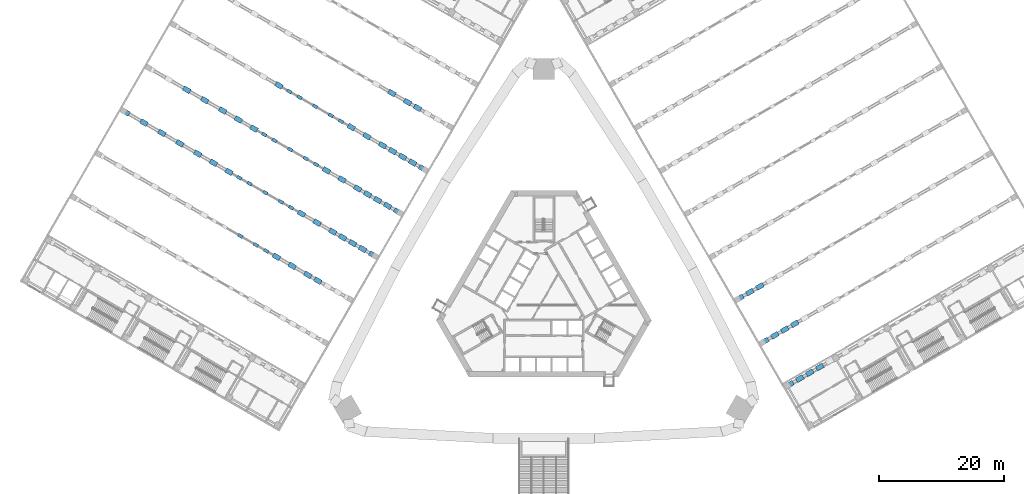
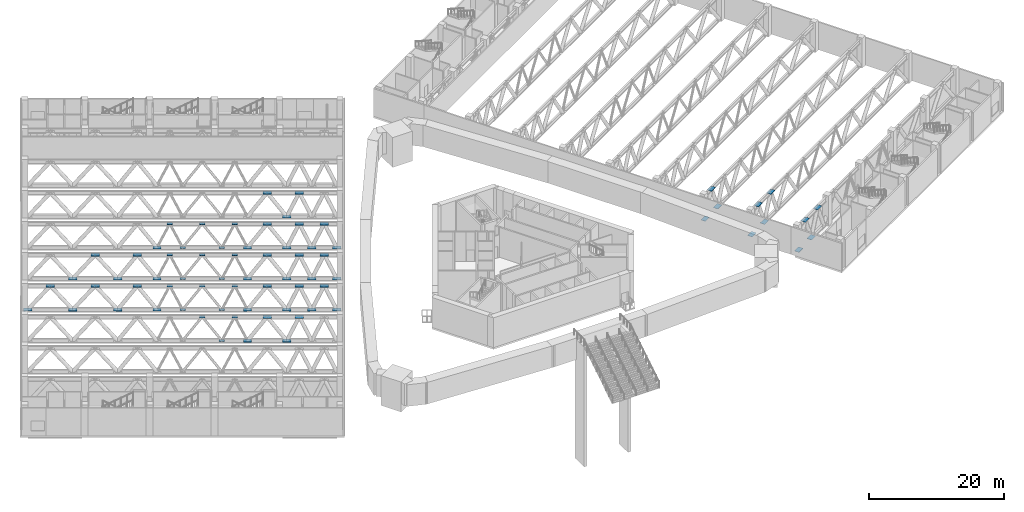
# One storey, part 27 of 37: 70 discrete accessories.
"""IFC4 building model written with IfcOpenShell, lengths in metres."""

from ifc_helpers import new_model, si_unit, direction, frame, origin, place, context, subcontext, project, spatial, polyline, outline, extrude, material, layer, layer_set, type_object, element, save


model = new_model("IFC4")

# Units and contexts
model_context = context("Model", 3, precision=1e-05, world=origin(), true_north=direction((0.0, 1.0)))
body_context = subcontext(model_context, "Body", "Model", "MODEL_VIEW")
ifc_project = project(units=[si_unit("LENGTHUNIT", "METRE"), si_unit("AREAUNIT", "SQUARE_METRE"), si_unit("VOLUMEUNIT", "CUBIC_METRE"), si_unit("PLANEANGLEUNIT", "RADIAN"), si_unit("MASSUNIT", "GRAM", prefix="KILO")], contexts=[model_context])

# Site, building, storey
site_placement = place(None, origin())
site = spatial("IfcSite", under=ifc_project, at=site_placement, CompositionType="ELEMENT")
building_placement = place(site_placement, origin())
building = spatial("IfcBuilding", under=site, at=building_placement, Name="Mestral Congress Tower", CompositionType="ELEMENT")
storey_placement = place(building_placement, frame((0.0, 0.0, 16.199951171875)))
storey = spatial("IfcBuildingStorey", under=building, at=storey_placement, Name="L03", CompositionType="ELEMENT", Elevation=16.199951171875)

# Discrete accessories
ifc_material = material(Name="Steel S355", Category="steel")
ifc_layer_1 = layer(ifc_material, 0.02490234375)
ifc_layer_set_1 = layer_set([ifc_layer_1], Name="Steel S355")
discrete_accessory_type_1 = type_object("IfcDiscreteAccessoryType", Name="Brace end gusset plate 25 S355", PredefinedType="BRACKET", material=ifc_layer_set_1)
placement_1 = place(storey_placement, frame((0.0, 0.0, 4.6875)))
element("IfcDiscreteAccessory", 1, at=placement_1, inside=storey, type_object=discrete_accessory_type_1, Name="Brace end gusset plate 25 S355", PredefinedType="BRACKET", context=body_context, shape_type="SweptSolid", body=[
    extrude(outline(polyline([(-49.3251953125, 18.935302734375), (-48.62109375, 18.52880859375), (-48.357177734375, 18.986328125), (-49.06103515625, 19.392822265625), (-49.3251953125, 18.935302734375)])), origin(), (0.0, 0.0, 1.0), 0.025146484375),
])
element("IfcDiscreteAccessory", 2, at=placement_1, inside=storey, type_object=discrete_accessory_type_1, Name="Brace end gusset plate 25 S355", PredefinedType="BRACKET", context=body_context, shape_type="SweptSolid", body=[
    extrude(outline(polyline([(-49.168212890625, 9.60693359375), (-48.464111328125, 9.20068359375), (-48.2001953125, 9.658203125), (-48.904052734375, 10.064697265625), (-49.168212890625, 9.60693359375)])), origin(), (0.0, 0.0, 1.0), 0.025146484375),
])
placement_2 = place(storey_placement, frame((0.0, 0.0, 0.387451171875)))
element("IfcDiscreteAccessory", 3, at=placement_2, inside=storey, type_object=discrete_accessory_type_1, Name="Brace end gusset plate 25 S355", PredefinedType="BRACKET", context=body_context, shape_type="SweptSolid", body=[
    extrude(outline(polyline([(-47.6796875, 17.985107421875), (-46.9755859375, 17.578857421875), (-46.711669921875, 18.036376953125), (-47.41552734375, 18.44287109375), (-47.6796875, 17.985107421875)])), origin(), (0.0, 0.0, 1.0), 0.025146484375),
])
element("IfcDiscreteAccessory", 4, at=placement_2, inside=storey, type_object=discrete_accessory_type_1, Name="Brace end gusset plate 25 S355", PredefinedType="BRACKET", context=body_context, shape_type="SweptSolid", body=[
    extrude(outline(polyline([(-46.65673828125, 8.156982421875), (-45.952880859375, 7.75048828125), (-45.688720703125, 8.208251953125), (-46.392578125, 8.614501953125), (-46.65673828125, 8.156982421875)])), origin(), (0.0, 0.0, 1.0), 0.025146484375),
])
element("IfcDiscreteAccessory", 5, at=placement_1, inside=storey, type_object=discrete_accessory_type_1, Name="Brace end gusset plate 25 S355", PredefinedType="BRACKET", context=body_context, shape_type="SweptSolid", body=[
    extrude(outline(polyline([(-45.3251953125, 25.86328125), (-44.62109375, 25.45703125), (-44.357177734375, 25.91455078125), (-45.06103515625, 26.321044921875), (-45.3251953125, 25.86328125)])), origin(), (0.0, 0.0, 1.0), 0.025146484375),
])
element("IfcDiscreteAccessory", 6, at=placement_1, inside=storey, type_object=discrete_accessory_type_1, Name="Brace end gusset plate 25 S355", PredefinedType="BRACKET", context=body_context, shape_type="SweptSolid", body=[
    extrude(outline(polyline([(-45.168212890625, 16.53515625), (-44.464111328125, 16.12890625), (-44.2001953125, 16.58642578125), (-44.904052734375, 16.992919921875), (-45.168212890625, 16.53515625)])), origin(), (0.0, 0.0, 1.0), 0.025146484375),
])
element("IfcDiscreteAccessory", 7, at=placement_1, inside=storey, type_object=discrete_accessory_type_1, Name="Brace end gusset plate 25 S355", PredefinedType="BRACKET", context=body_context, shape_type="SweptSolid", body=[
    extrude(outline(polyline([(-45.01123046875, 7.20703125), (-44.307373046875, 6.800537109375), (-44.043212890625, 7.25830078125), (-44.7470703125, 7.66455078125), (-45.01123046875, 7.20703125)])), origin(), (0.0, 0.0, 1.0), 0.025146484375),
])
element("IfcDiscreteAccessory", 8, at=placement_2, inside=storey, type_object=discrete_accessory_type_1, Name="Brace end gusset plate 25 S355", PredefinedType="BRACKET", context=body_context, shape_type="SweptSolid", body=[
    extrude(outline(polyline([(-43.6796875, 24.913330078125), (-42.9755859375, 24.507080078125), (-42.711669921875, 24.964599609375), (-43.41552734375, 25.37109375), (-43.6796875, 24.913330078125)])), origin(), (0.0, 0.0, 1.0), 0.025146484375),
])
element("IfcDiscreteAccessory", 9, at=placement_2, inside=storey, type_object=discrete_accessory_type_1, Name="Brace end gusset plate 25 S355", PredefinedType="BRACKET", context=body_context, shape_type="SweptSolid", body=[
    extrude(outline(polyline([(-42.65673828125, 15.085205078125), (-41.952880859375, 14.6787109375), (-41.688720703125, 15.136474609375), (-42.392578125, 15.542724609375), (-42.65673828125, 15.085205078125)])), origin(), (0.0, 0.0, 1.0), 0.025146484375),
])
element("IfcDiscreteAccessory", 10, at=placement_1, inside=storey, type_object=discrete_accessory_type_1, Name="Brace end gusset plate 25 S355", PredefinedType="BRACKET", context=body_context, shape_type="SweptSolid", body=[
    extrude(outline(polyline([(-41.3251953125, 32.79150390625), (-40.62109375, 32.38525390625), (-40.357177734375, 32.8427734375), (-41.06103515625, 33.249267578125), (-41.3251953125, 32.79150390625)])), origin(), (0.0, 0.0, 1.0), 0.025146484375),
])
element("IfcDiscreteAccessory", 11, at=placement_1, inside=storey, type_object=discrete_accessory_type_1, Name="Brace end gusset plate 25 S355", PredefinedType="BRACKET", context=body_context, shape_type="SweptSolid", body=[
    extrude(outline(polyline([(-41.168212890625, 23.46337890625), (-40.464111328125, 23.056884765625), (-40.2001953125, 23.5146484375), (-40.904052734375, 23.9208984375), (-41.168212890625, 23.46337890625)])), origin(), (0.0, 0.0, 1.0), 0.025146484375),
])
element("IfcDiscreteAccessory", 12, at=placement_1, inside=storey, type_object=discrete_accessory_type_1, Name="Brace end gusset plate 25 S355", PredefinedType="BRACKET", context=body_context, shape_type="SweptSolid", body=[
    extrude(outline(polyline([(-41.01123046875, 14.13525390625), (-40.307373046875, 13.728759765625), (-40.043212890625, 14.186279296875), (-40.7470703125, 14.5927734375), (-41.01123046875, 14.13525390625)])), origin(), (0.0, 0.0, 1.0), 0.025146484375),
])
element("IfcDiscreteAccessory", 13, at=placement_2, inside=storey, type_object=discrete_accessory_type_1, Name="Brace end gusset plate 25 S355", PredefinedType="BRACKET", context=body_context, shape_type="SweptSolid", body=[
    extrude(outline(polyline([(-39.6796875, 31.841552734375), (-38.9755859375, 31.435302734375), (-38.711669921875, 31.892822265625), (-39.41552734375, 32.29931640625), (-39.6796875, 31.841552734375)])), origin(), (0.0, 0.0, 1.0), 0.025146484375),
])
element("IfcDiscreteAccessory", 14, at=placement_2, inside=storey, type_object=discrete_accessory_type_1, Name="Brace end gusset plate 25 S355", PredefinedType="BRACKET", context=body_context, shape_type="SweptSolid", body=[
    extrude(outline(polyline([(-38.65673828125, 22.013427734375), (-37.952880859375, 21.60693359375), (-37.688720703125, 22.064697265625), (-38.392578125, 22.470947265625), (-38.65673828125, 22.013427734375)])), origin(), (0.0, 0.0, 1.0), 0.025146484375),
])
element("IfcDiscreteAccessory", 15, at=placement_1, inside=storey, type_object=discrete_accessory_type_1, Name="Brace end gusset plate 25 S355", PredefinedType="BRACKET", context=body_context, shape_type="SweptSolid", body=[
    extrude(outline(polyline([(-37.168212890625, 30.3916015625), (-36.464111328125, 29.985107421875), (-36.2001953125, 30.44287109375), (-36.904052734375, 30.84912109375), (-37.168212890625, 30.3916015625)])), origin(), (0.0, 0.0, 1.0), 0.025146484375),
])
element("IfcDiscreteAccessory", 16, at=placement_1, inside=storey, type_object=discrete_accessory_type_1, Name="Brace end gusset plate 25 S355", PredefinedType="BRACKET", context=body_context, shape_type="SweptSolid", body=[
    extrude(outline(polyline([(-37.01123046875, 21.0634765625), (-36.307373046875, 20.656982421875), (-36.043212890625, 21.114501953125), (-36.7470703125, 21.52099609375), (-37.01123046875, 21.0634765625)])), origin(), (0.0, 0.0, 1.0), 0.025146484375),
])
element("IfcDiscreteAccessory", 17, at=placement_2, inside=storey, type_object=discrete_accessory_type_1, Name="Brace end gusset plate 25 S355", PredefinedType="BRACKET", context=body_context, shape_type="SweptSolid", body=[
    extrude(outline(polyline([(-34.65673828125, 28.941650390625), (-33.952880859375, 28.53515625), (-33.688720703125, 28.992919921875), (-34.392578125, 29.399169921875), (-34.65673828125, 28.941650390625)])), origin(), (0.0, 0.0, 1.0), 0.025146484375),
])
element("IfcDiscreteAccessory", 18, at=placement_1, inside=storey, type_object=discrete_accessory_type_1, Name="Brace end gusset plate 25 S355", PredefinedType="BRACKET", context=body_context, shape_type="SweptSolid", body=[
    extrude(outline(polyline([(-33.01123046875, 27.99169921875), (-32.307373046875, 27.585205078125), (-32.043212890625, 28.042724609375), (-32.7470703125, 28.44921875), (-33.01123046875, 27.99169921875)])), origin(), (0.0, 0.0, 1.0), 0.025146484375),
])
ifc_layer_2 = layer(ifc_material, 0.034912109375)
ifc_layer_set_2 = layer_set([ifc_layer_2], Name="Steel S355")
discrete_accessory_type_2 = type_object("IfcDiscreteAccessoryType", Name="Brace end gusset plate 35 S355", PredefinedType="BRACKET", material=ifc_layer_set_2)
placement_3 = place(storey_placement, frame((0.0, 0.0, 0.382568359375)))
element("IfcDiscreteAccessory", 19, at=placement_3, inside=storey, type_object=discrete_accessory_type_2, Name="Brace end gusset plate 35 S355", PredefinedType="BRACKET", context=body_context, shape_type="SweptSolid", body=[
    extrude(outline(polyline([(-67.754150390625, 29.42236328125), (-66.697509765625, 28.8125), (-66.301025390625, 29.499267578125), (-67.357666015625, 30.109130859375), (-67.754150390625, 29.42236328125)])), origin(), (0.0, 0.0, 1.0), 0.034912109375),
])
placement_4 = place(storey_placement, frame((0.0, 0.0, 4.6826171875)))
element("IfcDiscreteAccessory", 20, at=placement_4, inside=storey, type_object=discrete_accessory_type_2, Name="Brace end gusset plate 35 S355", PredefinedType="BRACKET", context=body_context, shape_type="SweptSolid", body=[
    extrude(outline(polyline([(-64.87451171875, 27.760009765625), (-63.818115234375, 27.14990234375), (-63.421630859375, 27.836669921875), (-64.47802734375, 28.44677734375), (-64.87451171875, 27.760009765625)])), origin(), (0.0, 0.0, 1.0), 0.034912109375),
])
element("IfcDiscreteAccessory", 21, at=placement_3, inside=storey, type_object=discrete_accessory_type_2, Name="Brace end gusset plate 35 S355", PredefinedType="BRACKET", context=body_context, shape_type="SweptSolid", body=[
    extrude(outline(polyline([(-61.9951171875, 26.097412109375), (-60.9384765625, 25.4873046875), (-60.5419921875, 26.17431640625), (-61.598388671875, 26.7841796875), (-61.9951171875, 26.097412109375)])), origin(), (0.0, 0.0, 1.0), 0.034912109375),
])
element("IfcDiscreteAccessory", 22, at=placement_4, inside=storey, type_object=discrete_accessory_type_2, Name="Brace end gusset plate 35 S355", PredefinedType="BRACKET", context=body_context, shape_type="SweptSolid", body=[
    extrude(outline(polyline([(-59.115478515625, 24.434814453125), (-58.05908203125, 23.824951171875), (-57.66259765625, 24.51171875), (-58.718994140625, 25.12158203125), (-59.115478515625, 24.434814453125)])), origin(), (0.0, 0.0, 1.0), 0.034912109375),
])
element("IfcDiscreteAccessory", 23, at=placement_3, inside=storey, type_object=discrete_accessory_type_2, Name="Brace end gusset plate 35 S355", PredefinedType="BRACKET", context=body_context, shape_type="SweptSolid", body=[
    extrude(outline(polyline([(-57.9951171875, 33.025634765625), (-56.9384765625, 32.41552734375), (-56.5419921875, 33.102294921875), (-57.598388671875, 33.71240234375), (-57.9951171875, 33.025634765625)])), origin(), (0.0, 0.0, 1.0), 0.034912109375),
])
element("IfcDiscreteAccessory", 24, at=placement_3, inside=storey, type_object=discrete_accessory_type_2, Name="Brace end gusset plate 35 S355", PredefinedType="BRACKET", context=body_context, shape_type="SweptSolid", body=[
    extrude(outline(polyline([(-56.236083984375, 22.7724609375), (-55.179443359375, 22.162353515625), (-54.782958984375, 22.84912109375), (-55.839599609375, 23.459228515625), (-56.236083984375, 22.7724609375)])), origin(), (0.0, 0.0, 1.0), 0.034912109375),
])
element("IfcDiscreteAccessory", 25, at=placement_4, inside=storey, type_object=discrete_accessory_type_2, Name="Brace end gusset plate 35 S355", PredefinedType="BRACKET", context=body_context, shape_type="SweptSolid", body=[
    extrude(outline(polyline([(-55.115478515625, 31.363037109375), (-54.05908203125, 30.753173828125), (-53.66259765625, 31.43994140625), (-54.718994140625, 32.0498046875), (-55.115478515625, 31.363037109375)])), origin(), (0.0, 0.0, 1.0), 0.034912109375),
])
element("IfcDiscreteAccessory", 26, at=placement_4, inside=storey, type_object=discrete_accessory_type_2, Name="Brace end gusset plate 35 S355", PredefinedType="BRACKET", context=body_context, shape_type="SweptSolid", body=[
    extrude(outline(polyline([(-53.724609375, 21.322509765625), (-52.66796875, 20.71240234375), (-52.271484375, 21.399169921875), (-53.327880859375, 22.00927734375), (-53.724609375, 21.322509765625)])), origin(), (0.0, 0.0, 1.0), 0.034912109375),
])
element("IfcDiscreteAccessory", 27, at=placement_3, inside=storey, type_object=discrete_accessory_type_2, Name="Brace end gusset plate 35 S355", PredefinedType="BRACKET", context=body_context, shape_type="SweptSolid", body=[
    extrude(outline(polyline([(-52.236083984375, 29.70068359375), (-51.179443359375, 29.090576171875), (-50.782958984375, 29.77734375), (-51.839599609375, 30.387451171875), (-52.236083984375, 29.70068359375)])), origin(), (0.0, 0.0, 1.0), 0.034912109375),
])
element("IfcDiscreteAccessory", 28, at=placement_3, inside=storey, type_object=discrete_accessory_type_2, Name="Brace end gusset plate 35 S355", PredefinedType="BRACKET", context=body_context, shape_type="SweptSolid", body=[
    extrude(outline(polyline([(-49.760009765625, 19.94921875), (-50.81640625, 20.55908203125), (-51.212890625, 19.872314453125), (-50.156494140625, 19.262451171875), (-49.760009765625, 19.94921875)])), origin(), (0.0, 0.0, 1.0), 0.034912109375),
])
element("IfcDiscreteAccessory", 29, at=placement_4, inside=storey, type_object=discrete_accessory_type_2, Name="Brace end gusset plate 35 S355", PredefinedType="BRACKET", context=body_context, shape_type="SweptSolid", body=[
    extrude(outline(polyline([(-49.724609375, 28.25048828125), (-48.66796875, 27.640625), (-48.271484375, 28.327392578125), (-49.327880859375, 28.9375), (-49.724609375, 28.25048828125)])), origin(), (0.0, 0.0, 1.0), 0.034912109375),
])
element("IfcDiscreteAccessory", 30, at=placement_3, inside=storey, type_object=discrete_accessory_type_2, Name="Brace end gusset plate 35 S355", PredefinedType="BRACKET", context=body_context, shape_type="SweptSolid", body=[
    extrude(outline(polyline([(-45.760009765625, 26.87744140625), (-46.81640625, 27.4873046875), (-47.212890625, 26.800537109375), (-46.156494140625, 26.190673828125), (-45.760009765625, 26.87744140625)])), origin(), (0.0, 0.0, 1.0), 0.034912109375),
])
element("IfcDiscreteAccessory", 31, at=placement_3, inside=storey, type_object=discrete_accessory_type_2, Name="Brace end gusset plate 35 S355", PredefinedType="BRACKET", context=body_context, shape_type="SweptSolid", body=[
    extrude(outline(polyline([(-43.6083984375, 6.244140625), (-42.5517578125, 5.63427734375), (-42.1552734375, 6.321044921875), (-43.2119140625, 6.930908203125), (-43.6083984375, 6.244140625)])), origin(), (0.0, 0.0, 1.0), 0.034912109375),
])
element("IfcDiscreteAccessory", 32, at=placement_3, inside=storey, type_object=discrete_accessory_type_2, Name="Brace end gusset plate 35 S355", PredefinedType="BRACKET", context=body_context, shape_type="SweptSolid", body=[
    extrude(outline(polyline([(-41.760009765625, 33.8056640625), (-42.81640625, 34.41552734375), (-43.212890625, 33.728759765625), (-42.156494140625, 33.118896484375), (-41.760009765625, 33.8056640625)])), origin(), (0.0, 0.0, 1.0), 0.034912109375),
])
element("IfcDiscreteAccessory", 33, at=placement_4, inside=storey, type_object=discrete_accessory_type_2, Name="Brace end gusset plate 35 S355", PredefinedType="BRACKET", context=body_context, shape_type="SweptSolid", body=[
    extrude(outline(polyline([(-41.0966796875, 4.794189453125), (-40.040283203125, 4.18408203125), (-39.643798828125, 4.87109375), (-40.7001953125, 5.48095703125), (-41.0966796875, 4.794189453125)])), origin(), (0.0, 0.0, 1.0), 0.034912109375),
])
element("IfcDiscreteAccessory", 34, at=placement_3, inside=storey, type_object=discrete_accessory_type_2, Name="Brace end gusset plate 35 S355", PredefinedType="BRACKET", context=body_context, shape_type="SweptSolid", body=[
    extrude(outline(polyline([(-39.6083984375, 13.17236328125), (-38.5517578125, 12.5625), (-38.1552734375, 13.249267578125), (-39.2119140625, 13.859130859375), (-39.6083984375, 13.17236328125)])), origin(), (0.0, 0.0, 1.0), 0.034912109375),
])
element("IfcDiscreteAccessory", 35, at=placement_3, inside=storey, type_object=discrete_accessory_type_2, Name="Brace end gusset plate 35 S355", PredefinedType="BRACKET", context=body_context, shape_type="SweptSolid", body=[
    extrude(outline(polyline([(-38.585205078125, 3.34423828125), (-37.52880859375, 2.734130859375), (-37.13232421875, 3.4208984375), (-38.188720703125, 4.031005859375), (-38.585205078125, 3.34423828125)])), origin(), (0.0, 0.0, 1.0), 0.034912109375),
])
element("IfcDiscreteAccessory", 36, at=placement_4, inside=storey, type_object=discrete_accessory_type_2, Name="Brace end gusset plate 35 S355", PredefinedType="BRACKET", context=body_context, shape_type="SweptSolid", body=[
    extrude(outline(polyline([(-37.0966796875, 11.722412109375), (-36.040283203125, 11.1123046875), (-35.643798828125, 11.79931640625), (-36.7001953125, 12.4091796875), (-37.0966796875, 11.722412109375)])), origin(), (0.0, 0.0, 1.0), 0.034912109375),
])
element("IfcDiscreteAccessory", 37, at=placement_4, inside=storey, type_object=discrete_accessory_type_2, Name="Brace end gusset plate 35 S355", PredefinedType="BRACKET", context=body_context, shape_type="SweptSolid", body=[
    extrude(outline(polyline([(-36.983154296875, 2.419189453125), (-35.9267578125, 1.80908203125), (-35.5302734375, 2.49609375), (-36.586669921875, 3.10595703125), (-36.983154296875, 2.419189453125)])), origin(), (0.0, 0.0, 1.0), 0.034912109375),
])
element("IfcDiscreteAccessory", 38, at=placement_3, inside=storey, type_object=discrete_accessory_type_2, Name="Brace end gusset plate 35 S355", PredefinedType="BRACKET", context=body_context, shape_type="SweptSolid", body=[
    extrude(outline(polyline([(-35.6083984375, 20.1005859375), (-34.5517578125, 19.490478515625), (-34.1552734375, 20.177490234375), (-35.2119140625, 20.787353515625), (-35.6083984375, 20.1005859375)])), origin(), (0.0, 0.0, 1.0), 0.034912109375),
])
element("IfcDiscreteAccessory", 39, at=placement_3, inside=storey, type_object=discrete_accessory_type_2, Name="Brace end gusset plate 35 S355", PredefinedType="BRACKET", context=body_context, shape_type="SweptSolid", body=[
    extrude(outline(polyline([(-34.585205078125, 10.2724609375), (-33.52880859375, 9.662353515625), (-33.13232421875, 10.34912109375), (-34.188720703125, 10.959228515625), (-34.585205078125, 10.2724609375)])), origin(), (0.0, 0.0, 1.0), 0.034912109375),
])
element("IfcDiscreteAccessory", 40, at=placement_4, inside=storey, type_object=discrete_accessory_type_2, Name="Brace end gusset plate 35 S355", PredefinedType="BRACKET", context=body_context, shape_type="SweptSolid", body=[
    extrude(outline(polyline([(-33.0966796875, 18.650634765625), (-32.040283203125, 18.04052734375), (-31.643798828125, 18.727294921875), (-32.7001953125, 19.33740234375), (-33.0966796875, 18.650634765625)])), origin(), (0.0, 0.0, 1.0), 0.034912109375),
])
element("IfcDiscreteAccessory", 41, at=placement_4, inside=storey, type_object=discrete_accessory_type_2, Name="Brace end gusset plate 35 S355", PredefinedType="BRACKET", context=body_context, shape_type="SweptSolid", body=[
    extrude(outline(polyline([(-32.983154296875, 9.347412109375), (-31.9267578125, 8.7373046875), (-31.5302734375, 9.42431640625), (-32.586669921875, 10.0341796875), (-32.983154296875, 9.347412109375)])), origin(), (0.0, 0.0, 1.0), 0.034912109375),
])
element("IfcDiscreteAccessory", 42, at=placement_3, inside=storey, type_object=discrete_accessory_type_2, Name="Brace end gusset plate 35 S355", PredefinedType="BRACKET", context=body_context, shape_type="SweptSolid", body=[
    extrude(outline(polyline([(-31.6083984375, 27.02880859375), (-30.5517578125, 26.418701171875), (-30.1552734375, 27.105712890625), (-31.2119140625, 27.715576171875), (-31.6083984375, 27.02880859375)])), origin(), (0.0, 0.0, 1.0), 0.034912109375),
])
element("IfcDiscreteAccessory", 43, at=placement_3, inside=storey, type_object=discrete_accessory_type_2, Name="Brace end gusset plate 35 S355", PredefinedType="BRACKET", context=body_context, shape_type="SweptSolid", body=[
    extrude(outline(polyline([(-31.381103515625, 8.42236328125), (-30.324462890625, 7.8125), (-29.927978515625, 8.499267578125), (-30.984619140625, 9.109130859375), (-31.381103515625, 8.42236328125)])), origin(), (0.0, 0.0, 1.0), 0.034912109375),
])
element("IfcDiscreteAccessory", 44, at=placement_3, inside=storey, type_object=discrete_accessory_type_2, Name="Brace end gusset plate 35 S355", PredefinedType="BRACKET", context=body_context, shape_type="SweptSolid", body=[
    extrude(outline(polyline([(-30.585205078125, 17.20068359375), (-29.52880859375, 16.590576171875), (-29.13232421875, 17.27734375), (-30.188720703125, 17.887451171875), (-30.585205078125, 17.20068359375)])), origin(), (0.0, 0.0, 1.0), 0.034912109375),
])
element("IfcDiscreteAccessory", 45, at=placement_4, inside=storey, type_object=discrete_accessory_type_2, Name="Brace end gusset plate 35 S355", PredefinedType="BRACKET", context=body_context, shape_type="SweptSolid", body=[
    extrude(outline(polyline([(-29.77880859375, 7.497314453125), (-28.722412109375, 6.887451171875), (-28.325927734375, 7.57421875), (-29.38232421875, 8.18408203125), (-29.77880859375, 7.497314453125)])), origin(), (0.0, 0.0, 1.0), 0.034912109375),
])
element("IfcDiscreteAccessory", 46, at=placement_4, inside=storey, type_object=discrete_accessory_type_2, Name="Brace end gusset plate 35 S355", PredefinedType="BRACKET", context=body_context, shape_type="SweptSolid", body=[
    extrude(outline(polyline([(-29.0966796875, 25.578857421875), (-28.040283203125, 24.96875), (-27.643798828125, 25.655517578125), (-28.7001953125, 26.265625), (-29.0966796875, 25.578857421875)])), origin(), (0.0, 0.0, 1.0), 0.034912109375),
])
element("IfcDiscreteAccessory", 47, at=placement_4, inside=storey, type_object=discrete_accessory_type_2, Name="Brace end gusset plate 35 S355", PredefinedType="BRACKET", context=body_context, shape_type="SweptSolid", body=[
    extrude(outline(polyline([(-28.983154296875, 16.275634765625), (-27.9267578125, 15.66552734375), (-27.5302734375, 16.352294921875), (-28.586669921875, 16.96240234375), (-28.983154296875, 16.275634765625)])), origin(), (0.0, 0.0, 1.0), 0.034912109375),
])
element("IfcDiscreteAccessory", 48, at=placement_3, inside=storey, type_object=discrete_accessory_type_2, Name="Brace end gusset plate 35 S355", PredefinedType="BRACKET", context=body_context, shape_type="SweptSolid", body=[
    extrude(outline(polyline([(-26.7236328125, 6.649169921875), (-27.7802734375, 7.25927734375), (-28.1767578125, 6.572509765625), (-27.1201171875, 5.96240234375), (-26.7236328125, 6.649169921875)])), origin(), (0.0, 0.0, 1.0), 0.034912109375),
])
element("IfcDiscreteAccessory", 49, at=placement_3, inside=storey, type_object=discrete_accessory_type_2, Name="Brace end gusset plate 35 S355", PredefinedType="BRACKET", context=body_context, shape_type="SweptSolid", body=[
    extrude(outline(polyline([(-27.381103515625, 15.3505859375), (-26.324462890625, 14.740478515625), (-25.927978515625, 15.427490234375), (-26.984619140625, 16.037353515625), (-27.381103515625, 15.3505859375)])), origin(), (0.0, 0.0, 1.0), 0.034912109375),
])
element("IfcDiscreteAccessory", 50, at=placement_3, inside=storey, type_object=discrete_accessory_type_2, Name="Brace end gusset plate 35 S355", PredefinedType="BRACKET", context=body_context, shape_type="SweptSolid", body=[
    extrude(outline(polyline([(-26.585205078125, 24.12890625), (-25.52880859375, 23.518798828125), (-25.13232421875, 24.20556640625), (-26.188720703125, 24.815673828125), (-26.585205078125, 24.12890625)])), origin(), (0.0, 0.0, 1.0), 0.034912109375),
])
element("IfcDiscreteAccessory", 51, at=placement_4, inside=storey, type_object=discrete_accessory_type_2, Name="Brace end gusset plate 35 S355", PredefinedType="BRACKET", context=body_context, shape_type="SweptSolid", body=[
    extrude(outline(polyline([(-25.77880859375, 14.425537109375), (-24.722412109375, 13.815673828125), (-24.325927734375, 14.50244140625), (-25.38232421875, 15.1123046875), (-25.77880859375, 14.425537109375)])), origin(), (0.0, 0.0, 1.0), 0.034912109375),
])
element("IfcDiscreteAccessory", 52, at=placement_4, inside=storey, type_object=discrete_accessory_type_2, Name="Brace end gusset plate 35 S355", PredefinedType="BRACKET", context=body_context, shape_type="SweptSolid", body=[
    extrude(outline(polyline([(-25.0966796875, 32.507080078125), (-24.040283203125, 31.89697265625), (-23.643798828125, 32.583740234375), (-24.7001953125, 33.19384765625), (-25.0966796875, 32.507080078125)])), origin(), (0.0, 0.0, 1.0), 0.034912109375),
])
element("IfcDiscreteAccessory", 53, at=placement_4, inside=storey, type_object=discrete_accessory_type_2, Name="Brace end gusset plate 35 S355", PredefinedType="BRACKET", context=body_context, shape_type="SweptSolid", body=[
    extrude(outline(polyline([(-24.983154296875, 23.203857421875), (-23.9267578125, 22.59375), (-23.5302734375, 23.280517578125), (-24.586669921875, 23.890625), (-24.983154296875, 23.203857421875)])), origin(), (0.0, 0.0, 1.0), 0.034912109375),
])
element("IfcDiscreteAccessory", 54, at=placement_3, inside=storey, type_object=discrete_accessory_type_2, Name="Brace end gusset plate 35 S355", PredefinedType="BRACKET", context=body_context, shape_type="SweptSolid", body=[
    extrude(outline(polyline([(-22.7236328125, 13.577392578125), (-23.7802734375, 14.1875), (-24.1767578125, 13.50048828125), (-23.1201171875, 12.890625), (-22.7236328125, 13.577392578125)])), origin(), (0.0, 0.0, 1.0), 0.034912109375),
])
element("IfcDiscreteAccessory", 55, at=placement_3, inside=storey, type_object=discrete_accessory_type_2, Name="Brace end gusset plate 35 S355", PredefinedType="BRACKET", context=body_context, shape_type="SweptSolid", body=[
    extrude(outline(polyline([(-23.381103515625, 22.27880859375), (-22.324462890625, 21.668701171875), (-21.927978515625, 22.355712890625), (-22.984619140625, 22.965576171875), (-23.381103515625, 22.27880859375)])), origin(), (0.0, 0.0, 1.0), 0.034912109375),
])
element("IfcDiscreteAccessory", 56, at=placement_3, inside=storey, type_object=discrete_accessory_type_2, Name="Brace end gusset plate 35 S355", PredefinedType="BRACKET", context=body_context, shape_type="SweptSolid", body=[
    extrude(outline(polyline([(-22.585205078125, 31.056884765625), (-21.52880859375, 30.447021484375), (-21.13232421875, 31.1337890625), (-22.188720703125, 31.743896484375), (-22.585205078125, 31.056884765625)])), origin(), (0.0, 0.0, 1.0), 0.034912109375),
])
element("IfcDiscreteAccessory", 57, at=placement_4, inside=storey, type_object=discrete_accessory_type_2, Name="Brace end gusset plate 35 S355", PredefinedType="BRACKET", context=body_context, shape_type="SweptSolid", body=[
    extrude(outline(polyline([(-21.77880859375, 21.353759765625), (-20.722412109375, 20.743896484375), (-20.325927734375, 21.4306640625), (-21.38232421875, 22.04052734375), (-21.77880859375, 21.353759765625)])), origin(), (0.0, 0.0, 1.0), 0.034912109375),
])
element("IfcDiscreteAccessory", 58, at=placement_4, inside=storey, type_object=discrete_accessory_type_2, Name="Brace end gusset plate 35 S355", PredefinedType="BRACKET", context=body_context, shape_type="SweptSolid", body=[
    extrude(outline(polyline([(-20.983154296875, 30.132080078125), (-19.9267578125, 29.52197265625), (-19.5302734375, 30.208740234375), (-20.586669921875, 30.81884765625), (-20.983154296875, 30.132080078125)])), origin(), (0.0, 0.0, 1.0), 0.034912109375),
])
element("IfcDiscreteAccessory", 59, at=placement_3, inside=storey, type_object=discrete_accessory_type_2, Name="Brace end gusset plate 35 S355", PredefinedType="BRACKET", context=body_context, shape_type="SweptSolid", body=[
    extrude(outline(polyline([(-18.7236328125, 20.505615234375), (-19.7802734375, 21.115478515625), (-20.1767578125, 20.4287109375), (-19.1201171875, 19.81884765625), (-18.7236328125, 20.505615234375)])), origin(), (0.0, 0.0, 1.0), 0.034912109375),
])
element("IfcDiscreteAccessory", 60, at=placement_3, inside=storey, type_object=discrete_accessory_type_2, Name="Brace end gusset plate 35 S355", PredefinedType="BRACKET", context=body_context, shape_type="SweptSolid", body=[
    extrude(outline(polyline([(31.1201171875, -0.9658203125), (32.1767578125, -0.355712890625), (31.7802734375, 0.3310546875), (30.7236328125, -0.279052734375), (31.1201171875, -0.9658203125)])), origin(), (0.0, 0.0, 1.0), 0.034912109375),
])
element("IfcDiscreteAccessory", 61, at=placement_4, inside=storey, type_object=discrete_accessory_type_2, Name="Brace end gusset plate 35 S355", PredefinedType="BRACKET", context=body_context, shape_type="SweptSolid", body=[
    extrude(outline(polyline([(33.38232421875, 1.256103515625), (32.325927734375, 0.64599609375), (32.722412109375, -0.040771484375), (33.77880859375, 0.569091796875), (33.38232421875, 1.256103515625)])), origin(), (0.0, 0.0, 1.0), 0.034912109375),
])
element("IfcDiscreteAccessory", 62, at=placement_3, inside=storey, type_object=discrete_accessory_type_2, Name="Brace end gusset plate 35 S355", PredefinedType="BRACKET", context=body_context, shape_type="SweptSolid", body=[
    extrude(outline(polyline([(34.984619140625, 2.180908203125), (33.927978515625, 1.571044921875), (34.324462890625, 0.88427734375), (35.381103515625, 1.494140625), (34.984619140625, 2.180908203125)])), origin(), (0.0, 0.0, 1.0), 0.034912109375),
])
element("IfcDiscreteAccessory", 63, at=placement_3, inside=storey, type_object=discrete_accessory_type_2, Name="Brace end gusset plate 35 S355", PredefinedType="BRACKET", context=body_context, shape_type="SweptSolid", body=[
    extrude(outline(polyline([(35.1201171875, -7.89404296875), (36.1767578125, -7.283935546875), (35.7802734375, -6.59716796875), (34.7236328125, -7.207275390625), (35.1201171875, -7.89404296875)])), origin(), (0.0, 0.0, 1.0), 0.034912109375),
])
element("IfcDiscreteAccessory", 64, at=placement_4, inside=storey, type_object=discrete_accessory_type_2, Name="Brace end gusset plate 35 S355", PredefinedType="BRACKET", context=body_context, shape_type="SweptSolid", body=[
    extrude(outline(polyline([(37.38232421875, -5.672119140625), (36.325927734375, -6.2822265625), (36.722412109375, -6.968994140625), (37.77880859375, -6.35888671875), (37.38232421875, -5.672119140625)])), origin(), (0.0, 0.0, 1.0), 0.034912109375),
])
element("IfcDiscreteAccessory", 65, at=placement_3, inside=storey, type_object=discrete_accessory_type_2, Name="Brace end gusset plate 35 S355", PredefinedType="BRACKET", context=body_context, shape_type="SweptSolid", body=[
    extrude(outline(polyline([(38.984619140625, -4.747314453125), (37.927978515625, -5.357177734375), (38.324462890625, -6.0439453125), (39.381103515625, -5.43408203125), (38.984619140625, -4.747314453125)])), origin(), (0.0, 0.0, 1.0), 0.034912109375),
])
element("IfcDiscreteAccessory", 66, at=placement_3, inside=storey, type_object=discrete_accessory_type_2, Name="Brace end gusset plate 35 S355", PredefinedType="BRACKET", context=body_context, shape_type="SweptSolid", body=[
    extrude(outline(polyline([(39.1201171875, -14.822265625), (40.1767578125, -14.212158203125), (39.7802734375, -13.525390625), (38.7236328125, -14.135498046875), (39.1201171875, -14.822265625)])), origin(), (0.0, 0.0, 1.0), 0.034912109375),
])
element("IfcDiscreteAccessory", 67, at=placement_4, inside=storey, type_object=discrete_accessory_type_2, Name="Brace end gusset plate 35 S355", PredefinedType="BRACKET", context=body_context, shape_type="SweptSolid", body=[
    extrude(outline(polyline([(40.586669921875, -3.822265625), (39.5302734375, -4.43212890625), (39.9267578125, -5.118896484375), (40.983154296875, -4.509033203125), (40.586669921875, -3.822265625)])), origin(), (0.0, 0.0, 1.0), 0.034912109375),
])
element("IfcDiscreteAccessory", 68, at=placement_4, inside=storey, type_object=discrete_accessory_type_2, Name="Brace end gusset plate 35 S355", PredefinedType="BRACKET", context=body_context, shape_type="SweptSolid", body=[
    extrude(outline(polyline([(41.38232421875, -12.600341796875), (40.325927734375, -13.21044921875), (40.722412109375, -13.897216796875), (41.77880859375, -13.287109375), (41.38232421875, -12.600341796875)])), origin(), (0.0, 0.0, 1.0), 0.034912109375),
])
element("IfcDiscreteAccessory", 69, at=placement_3, inside=storey, type_object=discrete_accessory_type_2, Name="Brace end gusset plate 35 S355", PredefinedType="BRACKET", context=body_context, shape_type="SweptSolid", body=[
    extrude(outline(polyline([(42.984619140625, -11.67529296875), (41.927978515625, -12.285400390625), (42.324462890625, -12.97216796875), (43.381103515625, -12.3623046875), (42.984619140625, -11.67529296875)])), origin(), (0.0, 0.0, 1.0), 0.034912109375),
])
element("IfcDiscreteAccessory", 70, at=placement_4, inside=storey, type_object=discrete_accessory_type_2, Name="Brace end gusset plate 35 S355", PredefinedType="BRACKET", context=body_context, shape_type="SweptSolid", body=[
    extrude(outline(polyline([(44.586669921875, -10.75048828125), (43.5302734375, -11.3603515625), (43.9267578125, -12.047119140625), (44.983154296875, -11.437255859375), (44.586669921875, -10.75048828125)])), origin(), (0.0, 0.0, 1.0), 0.034912109375),
])

save(model, "model.ifc")
